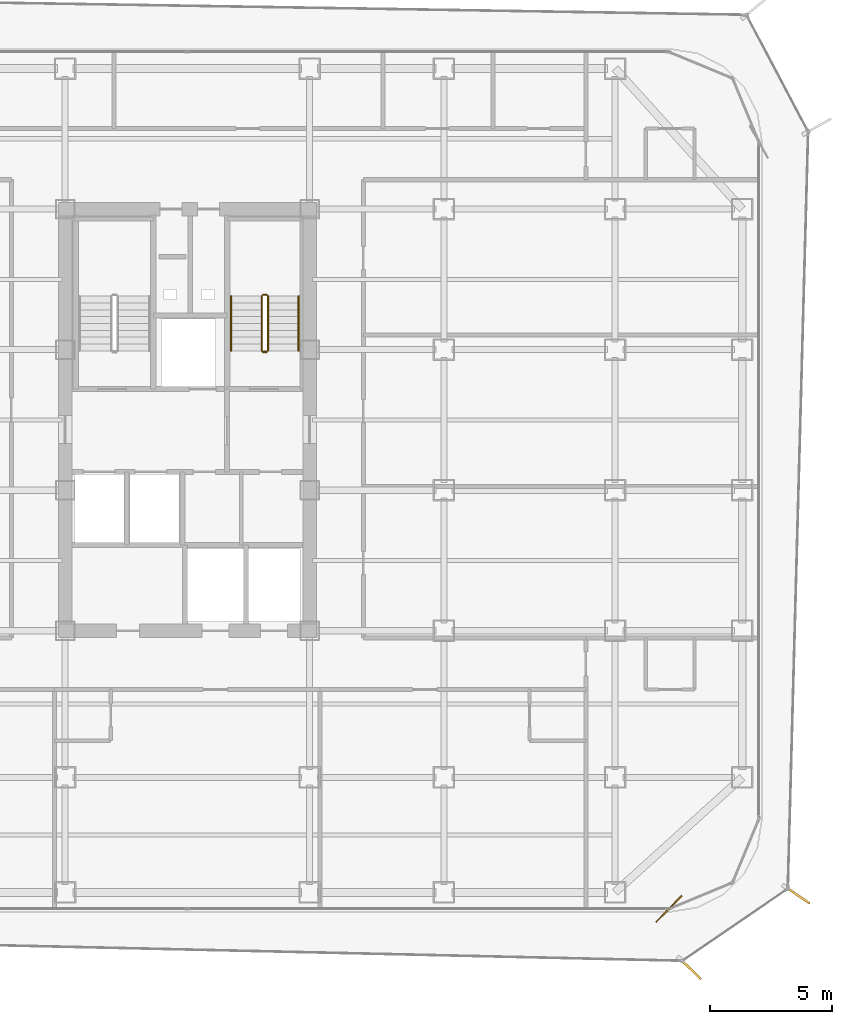
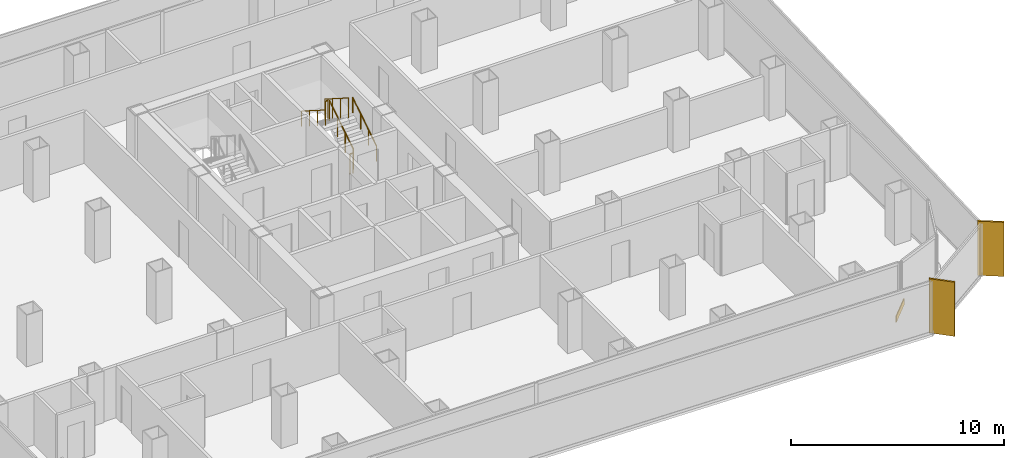
# One storey, part 20 of 21: 6 railings, 2 shading devices, 1 covering.
"""IFC4 building model written with IfcOpenShell, lengths in metres."""

from ifc_helpers import new_model, si_unit, direction, frame, origin, origin_2d, place, context, subcontext, project, spatial, rectangle, circle, extrude, source, transform, mapped, material, layer, layer_set, type_object, element, save


model = new_model("IFC4")

# Units and contexts
model_context = context("Model", 3, precision=1e-05, world=origin(), true_north=direction((0.0, 1.0)))
body_context = subcontext(model_context, "Body", "Model", "MODEL_VIEW")
ifc_project = project(units=[si_unit("LENGTHUNIT", "METRE"), si_unit("AREAUNIT", "SQUARE_METRE"), si_unit("VOLUMEUNIT", "CUBIC_METRE"), si_unit("PLANEANGLEUNIT", "RADIAN"), si_unit("MASSUNIT", "GRAM", prefix="KILO")], contexts=[model_context])

# Site, building, storey
site_placement = place(None, origin())
site = spatial("IfcSite", under=ifc_project, at=site_placement, CompositionType="ELEMENT")
building_placement = place(site_placement, origin())
building = spatial("IfcBuilding", under=site, at=building_placement, Name="Kolveth Station Tower", CompositionType="ELEMENT")
storey_placement = place(building_placement, frame((0.0, 0.0, 118.300048828125)))
storey = spatial("IfcBuildingStorey", under=building, at=storey_placement, Name="L32", CompositionType="ELEMENT", Elevation=118.300048828125)

# Railings
ifc_material_1 = material(Name="Painted Steel S355 balustrade", Category="steel")
railing_type_1 = type_object("IfcRailingType", Name="Guard_GR2", PredefinedType="BALUSTRADE", material=ifc_material_1)
railing_1_placement = place(storey_placement, frame((26.800048828125, 22.949951171875, 0.177734375)))
element("IfcRailing", 1, at=railing_1_placement, inside=storey, type_object=railing_type_1, Name="L32 ST2 stair guard 1", PredefinedType="BALUSTRADE", context=body_context, shape_type="SweptSolid", body=[
    extrude(circle(Radius=0.02392578125, at=origin_2d()), frame((0.0, 0.0, 1.1259765625), z_axis=(0.0, 0.8442293374, 0.53598211339), x_axis=(-1.0, 0.0, 0.0)), (0.0, 0.0, 1.0), 2.6533203125),
    extrude(circle(Radius=0.02099609375, at=origin_2d()), origin(), (0.0, 0.0, 1.0), 1.101806640625),
    extrude(circle(Radius=0.02099609375, at=origin_2d()), frame((0.0, 0.74658203125, 0.47412109375)), (0.0, 0.0, 1.0), 1.101806640625),
    extrude(circle(Radius=0.02099609375, at=origin_2d()), frame((0.0, 1.493408203125, 0.947998046875)), (0.0, 0.0, 1.0), 1.101806640625),
    extrude(circle(Radius=0.02099609375, at=origin_2d()), frame((0.0, 2.239990234375, 1.422119140625)), (0.0, 0.0, 1.0), 1.101806640625),
])
railing_2_placement = place(storey_placement, frame((26.75, 25.239990234375, 1.599853515625)))
element("IfcRailing", 2, at=railing_2_placement, inside=storey, type_object=railing_type_1, Name="L32 ST2 stair guard 2", PredefinedType="BALUSTRADE", context=body_context, shape_type="SweptSolid", body=[
    extrude(circle(Radius=0.02392578125, at=origin_2d()), frame((0.0, 0.0, 1.1259765625), z_axis=(-1.0, 0.0, 0.0), x_axis=(0.0, -1.0, 0.0)), (0.0, 0.0, 1.0), 0.159912109375),
    extrude(circle(Radius=0.02099609375, at=origin_2d()), origin(), (0.0, 0.0, 1.0), 1.101806640625),
    extrude(circle(Radius=0.02099609375, at=origin_2d()), frame((-0.159912109375, 0.0, 0.0)), (0.0, 0.0, 1.0), 1.101806640625),
])
railing_3_placement = place(storey_placement, frame((26.5400390625, 25.18994140625, 1.77783203125)))
element("IfcRailing", 3, at=railing_3_placement, inside=storey, type_object=railing_type_1, Name="L32 ST2 stair guard 3", PredefinedType="BALUSTRADE", context=body_context, shape_type="SweptSolid", body=[
    extrude(circle(Radius=0.02392578125, at=origin_2d()), frame((0.0, 0.0, 1.1259765625), z_axis=(0.0, -0.8442293374, 0.53598211339), x_axis=(1.0, 0.0, 0.0)), (0.0, 0.0, 1.0), 2.6533203125),
    extrude(circle(Radius=0.02099609375, at=origin_2d()), origin(), (0.0, 0.0, 1.0), 1.101806640625),
    extrude(circle(Radius=0.02099609375, at=origin_2d()), frame((0.0, -0.74658203125, 0.47412109375)), (0.0, 0.0, 1.0), 1.101806640625),
    extrude(circle(Radius=0.02099609375, at=origin_2d()), frame((0.0, -1.493408203125, 0.947998046875)), (0.0, 0.0, 1.0), 1.101806640625),
    extrude(circle(Radius=0.02099609375, at=origin_2d()), frame((0.0, -2.239990234375, 1.422119140625)), (0.0, 0.0, 1.0), 1.101806640625),
])
railing_4_placement = place(storey_placement, frame((26.75, 22.89990234375, 0.0)))
element("IfcRailing", 4, at=railing_4_placement, inside=storey, type_object=railing_type_1, Name="L32 ST2 stair guard 4", PredefinedType="BALUSTRADE", context=body_context, shape_type="SweptSolid", body=[
    extrude(circle(Radius=0.02392578125, at=origin_2d()), frame((0.0, 0.0, 1.1259765625), z_axis=(-1.0, 0.0, 0.0), x_axis=(0.0, -1.0, 0.0)), (0.0, 0.0, 1.0), 0.159912109375),
    extrude(circle(Radius=0.02099609375, at=origin_2d()), origin(), (0.0, 0.0, 1.0), 1.101806640625),
    extrude(circle(Radius=0.02099609375, at=origin_2d()), frame((-0.159912109375, 0.0, 0.0)), (0.0, 0.0, 1.0), 1.101806640625),
])
ifc_material_2 = material(Name="Brushed stainless steel", Category="steel")
railing_type_2 = type_object("IfcRailingType", Name="Handrail_HR1", PredefinedType="HANDRAIL", material=ifc_material_2)
railing_5_placement = place(storey_placement, frame((28.050048828125, 22.949951171875, 0.177734375)))
element("IfcRailing", 5, at=railing_5_placement, inside=storey, type_object=railing_type_2, Name="L32 ST2 stair handrail 1", PredefinedType="HANDRAIL", context=body_context, shape_type="SweptSolid", body=[
    extrude(circle(Radius=0.02392578125, at=origin_2d()), frame((0.0, 0.0, 0.8759765625), z_axis=(0.0, 0.8442293374, 0.53598211339), x_axis=(-1.0, 0.0, 0.0)), (0.0, 0.0, 1.0), 2.6533203125),
    extrude(circle(Radius=0.02099609375, at=origin_2d()), origin(), (0.0, 0.0, 1.0), 0.851806640625),
    extrude(circle(Radius=0.02099609375, at=origin_2d()), frame((0.0, 0.74658203125, 0.47412109375)), (0.0, 0.0, 1.0), 0.851806640625),
    extrude(circle(Radius=0.02099609375, at=origin_2d()), frame((0.0, 1.493408203125, 0.947998046875)), (0.0, 0.0, 1.0), 0.851806640625),
    extrude(circle(Radius=0.02099609375, at=origin_2d()), frame((0.0, 2.239990234375, 1.422119140625)), (0.0, 0.0, 1.0), 0.851806640625),
])
railing_6_placement = place(storey_placement, frame((25.2900390625, 25.18994140625, 1.77783203125)))
element("IfcRailing", 6, at=railing_6_placement, inside=storey, type_object=railing_type_2, Name="L32 ST2 stair handrail 2", PredefinedType="HANDRAIL", context=body_context, shape_type="SweptSolid", body=[
    extrude(circle(Radius=0.02392578125, at=origin_2d()), frame((0.0, 0.0, 0.8759765625), z_axis=(0.0, -0.8442293374, 0.53598211339), x_axis=(1.0, 0.0, 0.0)), (0.0, 0.0, 1.0), 2.6533203125),
    extrude(circle(Radius=0.02099609375, at=origin_2d()), origin(), (0.0, 0.0, 1.0), 0.851806640625),
    extrude(circle(Radius=0.02099609375, at=origin_2d()), frame((0.0, -0.74658203125, 0.47412109375)), (0.0, 0.0, 1.0), 0.851806640625),
    extrude(circle(Radius=0.02099609375, at=origin_2d()), frame((0.0, -1.493408203125, 0.947998046875)), (0.0, 0.0, 1.0), 0.851806640625),
    extrude(circle(Radius=0.02099609375, at=origin_2d()), frame((0.0, -2.239990234375, 1.422119140625)), (0.0, 0.0, 1.0), 0.851806640625),
])

# Shading devices
ifc_material_3 = material(Name="Black anodized aluminium 6063-T6", Category="aluminium")
shading_device_type = type_object("IfcShadingDeviceType", Name="FIN_VF1", PredefinedType="USERDEFINED", material=ifc_material_3)
shared_shape_1 = source(origin(), body_context, "Body", "SweptSolid", [
    extrude(rectangle(XDim=1.25, YDim=0.090087890625, at=origin_2d()), origin(), (0.0, 0.0, 1.0), 3.10009765625),
])
for number, where, z_axis, x_axis, name in (
    (7, (44.069091796875, -2.320068359375, 0.0), (0.0, 0.0, 1.0), (0.717518725918, -0.696539214946, 0.0), "L32 Dark-Aluminium Solar Fin 1"),
    (8, (48.443115234375, 0.697021484375, 0.0), (0.0, 0.0, 1.0), (0.827080574275, -0.562083377852, 0.0), "L32 Dark-Aluminium Solar Fin 2"),
):
    element("IfcShadingDevice", number, at=place(storey_placement, frame(where, z_axis=z_axis, x_axis=x_axis)), inside=storey, type_object=shading_device_type, Name=name, ObjectType="FIN", PredefinedType="USERDEFINED", context=body_context, shape_type="MappedRepresentation", body=[
        mapped(shared_shape_1, transform((0.0, 0.0, 0.0), x_axis=(1.0, 0.0, 0.0), y_axis=(0.0, 1.0, 0.0), z_axis=(0.0, 0.0, 1.0), scale=1.0)),
    ])

# Covering
ifc_material_4 = material(Name="Charcoal anodized aluminium spandrel cladding", Category="aluminium")
ifc_layer = layer(ifc_material_4, 0.044921875)
ifc_layer_set = layer_set([ifc_layer], Name="Charcoal anodized aluminium spandrel cladding")
covering_type = type_object("IfcCoveringType", Name="Clad_CD1", PredefinedType="CLADDING", material=ifc_layer_set)
shared_shape_2 = source(origin(), body_context, "Body", "SweptSolid", [
    extrude(rectangle(XDim=1.5, YDim=0.044921875, at=origin_2d()), origin(), (0.0, 0.0, 1.0), 0.360107421875),
])
covering_placement = place(storey_placement, frame((43.199951171875, 0.1201171875, 0.0), z_axis=(0.0, 0.0, 1.0), x_axis=(0.696539214946, 0.717518725918, 0.0)))
element("IfcCovering", 9, at=covering_placement, inside=storey, type_object=covering_type, Name="L32 Spandrel Edge Cladding 1", PredefinedType="CLADDING", context=body_context, shape_type="MappedRepresentation", body=[
    mapped(shared_shape_2, transform((0.0, 0.0, 0.0), x_axis=(1.0, 0.0, 0.0), y_axis=(0.0, 1.0, 0.0), z_axis=(0.0, 0.0, 1.0), scale=1.0)),
])

save(model, "model.ifc")
